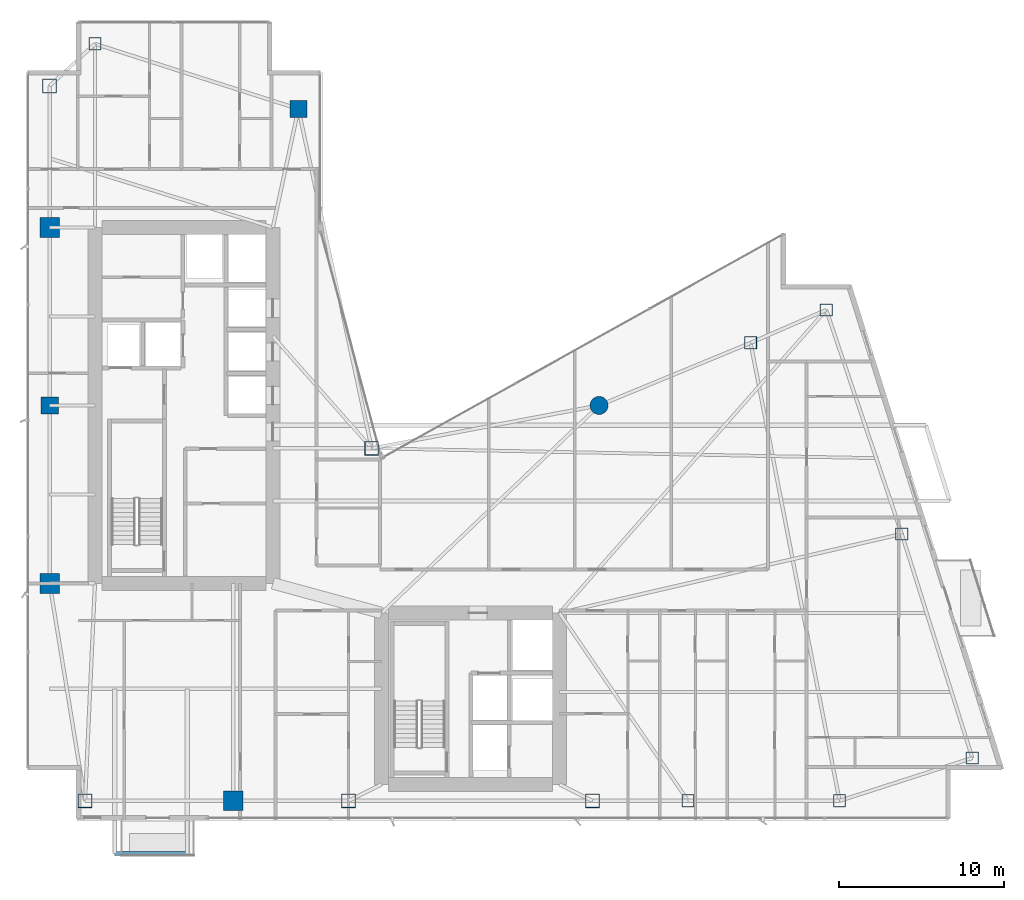
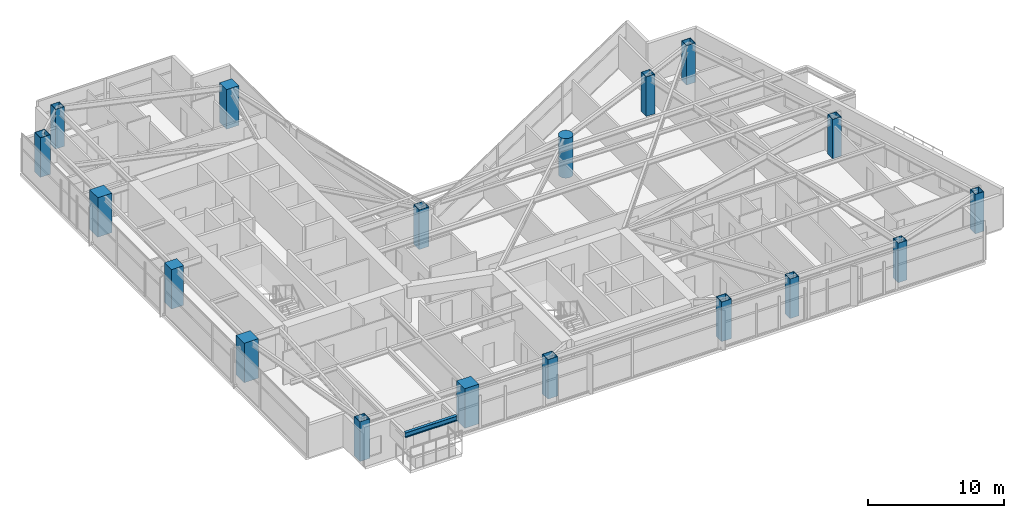
# One storey, part 1 of 28: 18 columns, 1 beam.
"""IFC4 building model written with IfcOpenShell, lengths in metres."""

from ifc_helpers import new_model, si_unit, direction, frame, origin, origin_2d, place, context, subcontext, project, spatial, rectangle, hollow_rectangle, circle, i_section, extrude, material, material_profile, profile_set, type_object, element, save


model = new_model("IFC4")

# Units and contexts
model_context = context("Model", 3, precision=1e-05, world=origin(), true_north=direction((0.0, 1.0)))
body_context = subcontext(model_context, "Body", "Model", "MODEL_VIEW")
ifc_project = project(units=[si_unit("LENGTHUNIT", "METRE"), si_unit("AREAUNIT", "SQUARE_METRE"), si_unit("VOLUMEUNIT", "CUBIC_METRE"), si_unit("PLANEANGLEUNIT", "RADIAN"), si_unit("MASSUNIT", "GRAM", prefix="KILO")], contexts=[model_context])

# Site, building, storey
site_placement = place(None, origin())
site = spatial("IfcSite", under=ifc_project, at=site_placement, CompositionType="ELEMENT")
building_placement = place(site_placement, origin())
building = spatial("IfcBuilding", under=site, at=building_placement, Name="Calvorn Quay Hotel", CompositionType="ELEMENT")
storey_placement = place(building_placement, frame((0.0, 0.0, 178.89990234375)))
storey = spatial("IfcBuildingStorey", under=building, at=storey_placement, Name="L44", CompositionType="ELEMENT", Elevation=178.89990234375)

# Columns
ifc_material_1 = material(Name="Concrete C50", Category="concrete")
ifc_material_profile_1 = material_profile(ifc_material_1, rectangle(XDim=1.050048828125, YDim=1.050048828125, at=origin_2d()), Name="RC1050x1050")
ifc_profile_set_1 = profile_set([ifc_material_profile_1], Name="Concrete C50")
column_type_1 = type_object("IfcColumnType", Name="COL-RC-1050", PredefinedType="COLUMN", material=ifc_profile_set_1)
for number, where, z_axis, x_axis, name in (
    (1, (1.449951171875, 27.60009765625, 0.0), (0.0, 0.0, 1.0), (1.0, 0.0, 0.0), "Column C-W3 (L44)"),
    (2, (16.550048828125, 45.60009765625, 0.0), (0.0, 0.0, 1.0), (1.0, 0.0, 0.0), "Column C-IC1 (L44)"),
):
    element("IfcColumn", number, at=place(storey_placement, frame(where, z_axis=z_axis, x_axis=x_axis)), inside=storey, type_object=column_type_1, Name=name, PredefinedType="COLUMN", context=body_context, shape_type="SweptSolid", body=[
        extrude(rectangle(XDim=1.050048828125, YDim=1.050048828125, at=origin_2d()), origin(), (0.0, 0.0, 1.0), 3.56005859375),
    ])
ifc_material_2 = material(Name="Concrete C50", Category="concrete")
ifc_material_profile_2 = material_profile(ifc_material_2, rectangle(XDim=1.199951171875, YDim=1.199951171875, at=origin_2d()), Name="RC1200x1200")
ifc_profile_set_2 = profile_set([ifc_material_profile_2], Name="Concrete C50")
column_type_2 = type_object("IfcColumnType", Name="COL-RC-1200", PredefinedType="COLUMN", material=ifc_profile_set_2)
for number, where, z_axis, x_axis, name in (
    (3, (1.449951171875, 16.800048828125, 0.0), (0.0, 0.0, 1.0), (1.0, 0.0, 0.0), "Column C-W2 (L44)"),
    (4, (1.449951171875, 38.39990234375, 0.0), (0.0, 0.0, 1.0), (1.0, 0.0, 0.0), "Column C-W4 (L44)"),
    (5, (12.60009765625, 3.60009765625, 0.0), (0.0, 0.0, 1.0), (1.0, 0.0, 0.0), "Column C-S1 (L44)"),
):
    element("IfcColumn", number, at=place(storey_placement, frame(where, z_axis=z_axis, x_axis=x_axis)), inside=storey, type_object=column_type_2, Name=name, PredefinedType="COLUMN", context=body_context, shape_type="SweptSolid", body=[
        extrude(rectangle(XDim=1.199951171875, YDim=1.199951171875, at=origin_2d()), origin(), (0.0, 0.0, 1.0), 3.56005859375),
    ])
ifc_material_3 = material(Name="Concrete C50", Category="concrete")
ifc_material_profile_3 = material_profile(ifc_material_3, circle(Radius=0.550048828125, at=origin_2d()), Name="RCD1100")
ifc_profile_set_3 = profile_set([ifc_material_profile_3], Name="Concrete C50")
column_type_3 = type_object("IfcColumnType", Name="COL-RC-D1100", PredefinedType="COLUMN", material=ifc_profile_set_3)
column_placement = place(storey_placement, frame((34.800048828125, 27.60009765625, 0.0), z_axis=(0.0, 0.0, 1.0), x_axis=(1.0, 0.0, 0.0)))
element("IfcColumn", 6, at=column_placement, inside=storey, type_object=column_type_3, Name="Column C-NC1 (L44)", PredefinedType="COLUMN", context=body_context, shape_type="SweptSolid", body=[
    extrude(circle(Radius=0.550048828125, at=origin_2d()), origin(), (0.0, 0.0, 1.0), 3.56005859375),
])
ifc_material_4 = material(Name="Steel Q390GJC", Category="steel")
ifc_material_profile_4 = material_profile(ifc_material_4, hollow_rectangle(XDim=0.85009765625, YDim=0.85009765625, WallThickness=0.035888671875, at=origin_2d()), Name="BOX850x850x36")
ifc_profile_set_4 = profile_set([ifc_material_profile_4], Name="Steel Q390GJC")
column_type_4 = type_object("IfcColumnType", Name="COL-STL-Z2", PredefinedType="COLUMN", material=ifc_profile_set_4)
for number, where, z_axis, x_axis, name in (
    (7, (3.60009765625, 3.60009765625, 0.0), (0.0, 0.0, 1.0), (1.0, 0.0, 0.0), "Column C-W1 (L44)"),
    (8, (1.449951171875, 47.0, 0.0), (0.0, 0.0, 1.0), (1.0, 0.0, 0.0), "Column C-W5 (L44)"),
    (9, (21.0, 25.0, 0.0), (0.0, 0.0, 1.0), (1.0, 0.0, 0.0), "Column C-IC2 (L44)"),
    (10, (19.60009765625, 3.60009765625, 0.0), (0.0, 0.0, 1.0), (1.0, 0.0, 0.0), "Column C-S2 (L44)"),
    (11, (34.39990234375, 3.60009765625, 0.0), (0.0, 0.0, 1.0), (1.0, 0.0, 0.0), "Column C-S3 (L44)"),
):
    element("IfcColumn", number, at=place(storey_placement, frame(where, z_axis=z_axis, x_axis=x_axis)), inside=storey, type_object=column_type_4, Name=name, PredefinedType="COLUMN", context=body_context, shape_type="SweptSolid", body=[
        extrude(hollow_rectangle(XDim=0.85009765625, YDim=0.85009765625, WallThickness=0.035888671875, at=origin_2d()), origin(), (0.0, 0.0, 1.0), 3.56005859375),
    ])
ifc_material_5 = material(Name="Steel Q390GJC", Category="steel")
ifc_material_profile_5 = material_profile(ifc_material_5, hollow_rectangle(XDim=0.75, YDim=0.75, WallThickness=0.031982421875, at=origin_2d()), Name="BOX750x750x32")
ifc_profile_set_5 = profile_set([ifc_material_profile_5], Name="Steel Q390GJC")
column_type_5 = type_object("IfcColumnType", Name="COL-STL-Z3", PredefinedType="COLUMN", material=ifc_profile_set_5)
for number, where, z_axis, x_axis, name in (
    (12, (4.199951171875, 49.550048828125, 0.0), (0.0, 0.0, 1.0), (1.0, 0.0, 0.0), "Column C-NW1 (L44)"),
    (13, (40.199951171875, 3.60009765625, 0.0), (0.0, 0.0, 1.0), (1.0, 0.0, 0.0), "Column C-S4 (L44)"),
    (14, (49.39990234375, 3.60009765625, 0.0), (0.0, 0.0, 1.0), (1.0, 0.0, 0.0), "Column C-S5 (L44)"),
    (15, (44.0, 31.39990234375, 0.0), (0.0, 0.0, 1.0), (1.0, 0.0, 0.0), "Column C-NC2 (L44)"),
    (16, (57.4609375, 6.199951171875, 0.0), (0.0, 0.0, 1.0), (1.0, 0.0, 0.0), "Column C-ET1 (L44)"),
    (17, (53.176025390625, 19.800048828125, 0.0), (0.0, 0.0, 1.0), (1.0, 0.0, 0.0), "Column C-ET2 (L44)"),
    (18, (48.591064453125, 33.39990234375, 0.0), (0.0, 0.0, 1.0), (1.0, 0.0, 0.0), "Column C-ET3 (L44)"),
):
    element("IfcColumn", number, at=place(storey_placement, frame(where, z_axis=z_axis, x_axis=x_axis)), inside=storey, type_object=column_type_5, Name=name, PredefinedType="COLUMN", context=body_context, shape_type="SweptSolid", body=[
        extrude(hollow_rectangle(XDim=0.75, YDim=0.75, WallThickness=0.031982421875, at=origin_2d()), origin(), (0.0, 0.0, 1.0), 3.56005859375),
    ])

# Beam
ifc_material_6 = material(Name="Steel Q355B", Category="steel")
ifc_material_profile_6 = material_profile(ifc_material_6, i_section(OverallWidth=0.25, OverallDepth=0.449951171875, WebThickness=0.011962890625, FlangeThickness=0.01611328125, FilletRadius=0.01611328125, at=origin_2d()), Name="HN450x250x12x16")
ifc_profile_set_6 = profile_set([ifc_material_profile_6], Name="Steel Q355B")
beam_type = type_object("IfcBeamType", Name="BM-CANT-BALC", PredefinedType="BEAM", material=ifc_profile_set_6)
beam_placement = place(storey_placement, frame((5.39990234375, 0.409912109375, 3.315185546875), z_axis=(1.0, 0.0, 0.0), x_axis=(0.0, 1.0, 0.0)))
element("IfcBeam", 19, at=beam_placement, inside=storey, type_object=beam_type, Name="Beam BCBO-L45-2", PredefinedType="BEAM", context=body_context, shape_type="SweptSolid", body=[
    extrude(i_section(OverallWidth=0.25, OverallDepth=0.449951171875, WebThickness=0.011962890625, FlangeThickness=0.01611328125, FilletRadius=0.01611328125, at=origin_2d()), origin(), (0.0, 0.0, 1.0), 4.400146484375),
])

save(model, "model.ifc")
